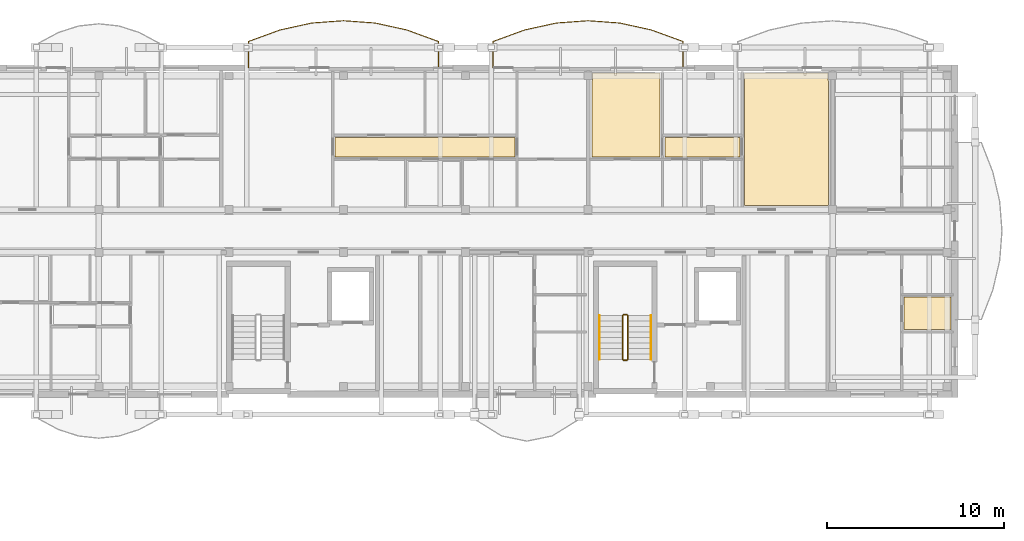
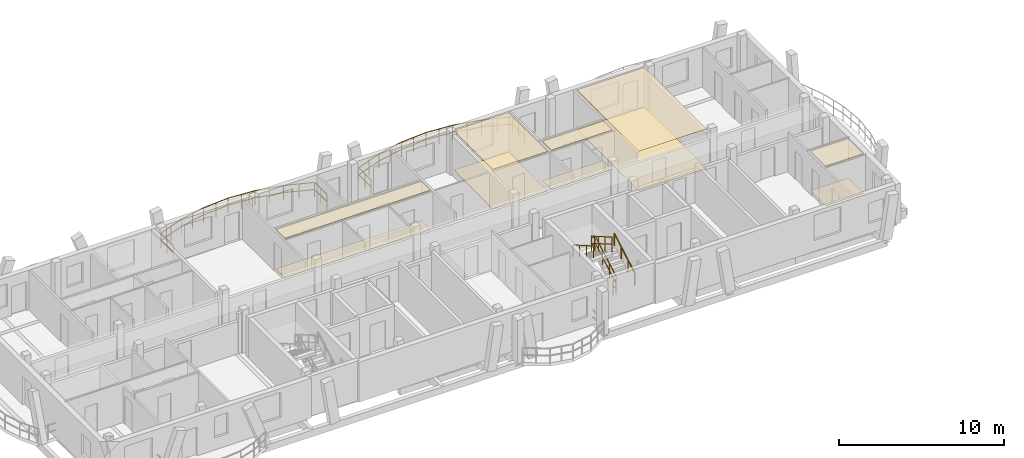
# One storey, part 51 of 52: 10 coverings, 8 railings.
"""IFC4 building model written with IfcOpenShell, lengths in metres."""

from ifc_helpers import new_model, si_unit, direction, frame, origin, origin_2d, place, context, subcontext, project, spatial, polyline, rectangle, outline, extrude, material, layer, layer_set, type_object, element, save


model = new_model("IFC4")

# Units and contexts
model_context = context("Model", 3, precision=1e-05, world=origin(), true_north=direction((0.0, 1.0)))
body_context = subcontext(model_context, "Body", "Model", "MODEL_VIEW")
ifc_project = project(units=[si_unit("LENGTHUNIT", "METRE"), si_unit("AREAUNIT", "SQUARE_METRE"), si_unit("VOLUMEUNIT", "CUBIC_METRE"), si_unit("PLANEANGLEUNIT", "RADIAN"), si_unit("MASSUNIT", "GRAM", prefix="KILO")], contexts=[model_context])

# Site, building, storey
site_placement = place(None, origin())
site = spatial("IfcSite", under=ifc_project, at=site_placement, CompositionType="ELEMENT")
building_placement = place(site_placement, origin())
building = spatial("IfcBuilding", under=site, at=building_placement, Name="Zavelmont Quarter", CompositionType="ELEMENT")
storey_placement = place(building_placement, frame((0.0, 0.0, 14.39990234375)))
storey = spatial("IfcBuildingStorey", under=building, at=storey_placement, Name="L04", CompositionType="ELEMENT", Elevation=14.39990234375)

# Coverings
ifc_material_1 = material(Name="Perforated acoustic gypsum board")
ifc_layer_1 = layer(ifc_material_1, 0.02490234375)
ifc_layer_set_1 = layer_set([ifc_layer_1], Name="Perforated acoustic gypsum board")
covering_type_1 = type_object("IfcCoveringType", Name="CV-CL01", PredefinedType="CEILING", material=ifc_layer_set_1)
covering_1_placement = place(storey_placement, frame((0.0, 0.0, 2.9150390625)))
element("IfcCovering", 1, at=covering_1_placement, inside=storey, type_object=covering_type_1, Name="L04 Double Bedroom acoustic ceiling", PredefinedType="CEILING", context=body_context, shape_type="SweptSolid", body=[
    extrude(outline(polyline([(147.530029296875, 115.294921875), (147.56494140625, 115.294921875), (147.56494140625, 115.719970703125), (151.3701171875, 115.719970703125), (151.3701171875, 110.97998046875), (147.530029296875, 110.97998046875), (147.530029296875, 115.294921875)])), origin(), (0.0, 0.0, 1.0), 0.025146484375),
])
covering_2_placement = place(storey_placement, frame((0.0, 0.0, 2.9150390625)))
element("IfcCovering", 2, at=covering_2_placement, inside=storey, type_object=covering_type_1, Name="L04 Living Dining acoustic ceiling", PredefinedType="CEILING", context=body_context, shape_type="SweptSolid", body=[
    extrude(outline(polyline([(156.1298828125, 115.719970703125), (160.8349609375, 115.719970703125), (160.8349609375, 115.294921875), (160.8701171875, 115.294921875), (160.8701171875, 108.264892578125), (160.8349609375, 108.264892578125), (160.8349609375, 108.22998046875), (156.1298828125, 108.22998046875), (156.1298828125, 115.719970703125)])), origin(), (0.0, 0.0, 1.0), 0.025146484375),
])
ifc_material_2 = material(Name="Slatted European ash acoustic baffle ceiling")
ifc_layer_2 = layer(ifc_material_2, 0.0400390625)
ifc_layer_set_2 = layer_set([ifc_layer_2], Name="Slatted European ash acoustic baffle ceiling")
covering_type_2 = type_object("IfcCoveringType", Name="CV-CL02", PredefinedType="CEILING", material=ifc_layer_set_2)
covering_3_placement = place(storey_placement, frame((0.0, 0.0, 2.900146484375)))
element("IfcCovering", 3, at=covering_3_placement, inside=storey, type_object=covering_type_2, Name="L04 Apartment Hall acoustic ceiling", PredefinedType="CEILING", context=body_context, shape_type="SweptSolid", body=[
    extrude(outline(polyline([(133.030029296875, 112.070068359375), (143.169921875, 112.070068359375), (143.169921875, 110.97998046875), (133.030029296875, 110.97998046875), (133.030029296875, 112.070068359375)])), origin(), (0.0, 0.0, 1.0), 0.0400390625),
])
covering_4_placement = place(storey_placement, frame((0.0, 0.0, 2.900146484375)))
element("IfcCovering", 4, at=covering_4_placement, inside=storey, type_object=covering_type_2, Name="L04 Apartment Hall acoustic ceiling", PredefinedType="CEILING", context=body_context, shape_type="SweptSolid", body=[
    extrude(outline(polyline([(151.6298828125, 112.070068359375), (155.8701171875, 112.070068359375), (155.8701171875, 110.97998046875), (151.6298828125, 110.97998046875), (151.6298828125, 112.070068359375)])), origin(), (0.0, 0.0, 1.0), 0.0400390625),
])
ifc_material_3 = material(Name="Moisture-resistant painted gypsum ceiling")
ifc_layer_3 = layer(ifc_material_3, 0.02001953125)
ifc_layer_set_3 = layer_set([ifc_layer_3], Name="Moisture-resistant painted gypsum ceiling")
covering_type_3 = type_object("IfcCoveringType", Name="CV-CL04", PredefinedType="CEILING", material=ifc_layer_set_3)
covering_5_placement = place(storey_placement, frame((0.0, 0.0, 2.920166015625)))
element("IfcCovering", 5, at=covering_5_placement, inside=storey, type_object=covering_type_3, Name="L04 Bathroom acoustic ceiling", PredefinedType="CEILING", context=body_context, shape_type="SweptSolid", body=[
    extrude(outline(polyline([(165.1298828125, 103.070068359375), (167.77001953125, 103.070068359375), (167.77001953125, 101.22998046875), (165.1298828125, 101.22998046875), (165.1298828125, 103.070068359375)])), origin(), (0.0, 0.0, 1.0), 0.02001953125),
])
ifc_material_4 = material(Name="Engineered European oak parquet")
ifc_layer_4 = layer(ifc_material_4, 0.02197265625)
ifc_layer_set_4 = layer_set([ifc_layer_4], Name="Engineered European oak parquet")
covering_type_4 = type_object("IfcCoveringType", Name="CV-FL01", PredefinedType="FLOORING", material=ifc_layer_set_4)
covering_6_placement = place(storey_placement, origin())
element("IfcCovering", 6, at=covering_6_placement, inside=storey, type_object=covering_type_4, Name="L04 Double Bedroom floor finish", PredefinedType="FLOORING", context=body_context, shape_type="SweptSolid", body=[
    extrude(outline(polyline([(147.530029296875, 115.294921875), (147.56494140625, 115.294921875), (147.56494140625, 115.719970703125), (151.3701171875, 115.719970703125), (151.3701171875, 110.97998046875), (147.530029296875, 110.97998046875), (147.530029296875, 115.294921875)])), origin(), (0.0, 0.0, 1.0), 0.022216796875),
])
covering_7_placement = place(storey_placement, origin())
element("IfcCovering", 7, at=covering_7_placement, inside=storey, type_object=covering_type_4, Name="L04 Living Dining floor finish", PredefinedType="FLOORING", context=body_context, shape_type="SweptSolid", body=[
    extrude(outline(polyline([(156.1298828125, 115.719970703125), (160.8349609375, 115.719970703125), (160.8349609375, 115.294921875), (160.8701171875, 115.294921875), (160.8701171875, 108.264892578125), (160.8349609375, 108.264892578125), (160.8349609375, 108.22998046875), (156.1298828125, 108.22998046875), (156.1298828125, 115.719970703125)])), origin(), (0.0, 0.0, 1.0), 0.022216796875),
])
ifc_material_5 = material(Name="Honed Belgian bluestone tile", Category="masonry")
ifc_layer_5 = layer(ifc_material_5, 0.030029296875)
ifc_layer_set_5 = layer_set([ifc_layer_5], Name="Honed Belgian bluestone tile")
covering_type_5 = type_object("IfcCoveringType", Name="CV-FL02", PredefinedType="FLOORING", material=ifc_layer_set_5)
covering_8_placement = place(storey_placement, origin())
element("IfcCovering", 8, at=covering_8_placement, inside=storey, type_object=covering_type_5, Name="L04 Apartment Hall floor finish", PredefinedType="FLOORING", context=body_context, shape_type="SweptSolid", body=[
    extrude(outline(polyline([(133.030029296875, 112.070068359375), (143.169921875, 112.070068359375), (143.169921875, 110.97998046875), (133.030029296875, 110.97998046875), (133.030029296875, 112.070068359375)])), origin(), (0.0, 0.0, 1.0), 0.030029296875),
])
covering_9_placement = place(storey_placement, origin())
element("IfcCovering", 9, at=covering_9_placement, inside=storey, type_object=covering_type_5, Name="L04 Apartment Hall floor finish", PredefinedType="FLOORING", context=body_context, shape_type="SweptSolid", body=[
    extrude(outline(polyline([(151.6298828125, 112.070068359375), (155.8701171875, 112.070068359375), (155.8701171875, 110.97998046875), (151.6298828125, 110.97998046875), (151.6298828125, 112.070068359375)])), origin(), (0.0, 0.0, 1.0), 0.030029296875),
])
ifc_material_6 = material(Name="Slip-resistant porcelain tile")
ifc_layer_6 = layer(ifc_material_6, 0.02587890625)
ifc_layer_set_6 = layer_set([ifc_layer_6], Name="Slip-resistant porcelain tile")
covering_type_6 = type_object("IfcCoveringType", Name="CV-FL04", PredefinedType="FLOORING", material=ifc_layer_set_6)
covering_10_placement = place(storey_placement, origin())
element("IfcCovering", 10, at=covering_10_placement, inside=storey, type_object=covering_type_6, Name="L04 Bathroom floor finish", PredefinedType="FLOORING", context=body_context, shape_type="SweptSolid", body=[
    extrude(outline(polyline([(165.1298828125, 103.070068359375), (167.77001953125, 103.070068359375), (167.77001953125, 101.22998046875), (165.1298828125, 101.22998046875), (165.1298828125, 103.070068359375)])), origin(), (0.0, 0.0, 1.0), 0.026123046875),
])

# Railings
ifc_material_7 = material(Name="Powder-coated steel and tempered double safety glass", Category="steel")
railing_type_1 = type_object("IfcRailingType", Name="RL-BAL1", PredefinedType="BALUSTRADE", material=ifc_material_7)
railing_1_placement = place(storey_placement, frame((138.861083984375, 116.02001953125, 0.0)))
element("IfcRailing", 11, at=railing_1_placement, inside=storey, type_object=railing_type_1, Name="L04 Block C curved balcony guard RL-BAL1", PredefinedType="BALUSTRADE", context=body_context, shape_type="SweptSolid", body=[
    extrude(rectangle(XDim=0.048095703125, YDim=0.048095703125, at=origin_2d()), frame((0.0, 0.0, 1.076171875), z_axis=(0.0, 1.0, 0.0), x_axis=(-1.0, 0.0, 0.0)), (0.0, 0.0, 1.0), 1.474609375),
    extrude(rectangle(XDim=0.048095703125, YDim=0.048095703125, at=origin_2d()), frame((0.0, 0.0, 0.550048828125), z_axis=(0.0, 1.0, 0.0), x_axis=(-1.0, 0.0, 0.0)), (0.0, 0.0, 1.0), 1.474609375),
    extrude(rectangle(XDim=0.048095703125, YDim=0.048095703125, at=origin_2d()), frame((0.0, 1.474609375, 1.076171875), z_axis=(-0.9393730676, 0.342896835605, 0.0), x_axis=(-0.342896835605, -0.9393730676, 0.0)), (0.0, 0.0, 1.0), 1.90234375),
    extrude(rectangle(XDim=0.048095703125, YDim=0.048095703125, at=origin_2d()), frame((0.0, 1.474609375, 0.550048828125), z_axis=(-0.9393730676, 0.342896835605, 0.0), x_axis=(-0.342896835605, -0.9393730676, 0.0)), (0.0, 0.0, 1.0), 1.90234375),
    extrude(rectangle(XDim=0.048095703125, YDim=0.048095703125, at=origin_2d()), frame((-1.787109375, 2.126953125, 1.076171875), z_axis=(-0.976817229366, 0.214074987827, 0.0), x_axis=(-0.214074987827, -0.976817229366, 0.0)), (0.0, 0.0, 1.0), 1.829345703125),
    extrude(rectangle(XDim=0.048095703125, YDim=0.048095703125, at=origin_2d()), frame((-1.787109375, 2.126953125, 0.550048828125), z_axis=(-0.976817229366, 0.214074987827, 0.0), x_axis=(-0.214074987827, -0.976817229366, 0.0)), (0.0, 0.0, 1.0), 1.829345703125),
    extrude(rectangle(XDim=0.048095703125, YDim=0.048095703125, at=origin_2d()), frame((-3.573974609375, 2.5185546875, 1.076171875), z_axis=(-0.997349662743, 0.072757475397, 0.0), x_axis=(-0.072757475397, -0.997349662743, 0.0)), (0.0, 0.0, 1.0), 1.791748046875),
    extrude(rectangle(XDim=0.048095703125, YDim=0.048095703125, at=origin_2d()), frame((-3.573974609375, 2.5185546875, 0.550048828125), z_axis=(-0.997349662743, 0.072757475397, 0.0), x_axis=(-0.072757475397, -0.997349662743, 0.0)), (0.0, 0.0, 1.0), 1.791748046875),
    extrude(rectangle(XDim=0.048095703125, YDim=0.048095703125, at=origin_2d()), frame((-5.361083984375, 2.64892578125, 1.076171875), z_axis=(-0.997349662743, -0.072757475397, 0.0), x_axis=(0.072757475397, -0.997349662743, 0.0)), (0.0, 0.0, 1.0), 1.791748046875),
    extrude(rectangle(XDim=0.048095703125, YDim=0.048095703125, at=origin_2d()), frame((-5.361083984375, 2.64892578125, 0.550048828125), z_axis=(-0.997349662743, -0.072757475397, 0.0), x_axis=(0.072757475397, -0.997349662743, 0.0)), (0.0, 0.0, 1.0), 1.791748046875),
    extrude(rectangle(XDim=0.048095703125, YDim=0.048095703125, at=origin_2d()), frame((-7.148193359375, 2.5185546875, 1.076171875), z_axis=(-0.976817229366, -0.214074987827, 0.0), x_axis=(0.214074987827, -0.976817229366, 0.0)), (0.0, 0.0, 1.0), 1.829345703125),
    extrude(rectangle(XDim=0.048095703125, YDim=0.048095703125, at=origin_2d()), frame((-7.148193359375, 2.5185546875, 0.550048828125), z_axis=(-0.976817229366, -0.214074987827, 0.0), x_axis=(0.214074987827, -0.976817229366, 0.0)), (0.0, 0.0, 1.0), 1.829345703125),
    extrude(rectangle(XDim=0.048095703125, YDim=0.048095703125, at=origin_2d()), frame((-8.93505859375, 2.126953125, 1.076171875), z_axis=(-0.9393730676, -0.342896835605, 0.0), x_axis=(0.342896835605, -0.9393730676, 0.0)), (0.0, 0.0, 1.0), 1.90234375),
    extrude(rectangle(XDim=0.048095703125, YDim=0.048095703125, at=origin_2d()), frame((-8.93505859375, 2.126953125, 0.550048828125), z_axis=(-0.9393730676, -0.342896835605, 0.0), x_axis=(0.342896835605, -0.9393730676, 0.0)), (0.0, 0.0, 1.0), 1.90234375),
    extrude(rectangle(XDim=0.048095703125, YDim=0.048095703125, at=origin_2d()), frame((-10.72216796875, 1.474609375, 1.076171875), z_axis=(0.0, -1.0, 0.0), x_axis=(1.0, 0.0, 0.0)), (0.0, 0.0, 1.0), 1.474609375),
    extrude(rectangle(XDim=0.048095703125, YDim=0.048095703125, at=origin_2d()), frame((-10.72216796875, 1.474609375, 0.550048828125), z_axis=(0.0, -1.0, 0.0), x_axis=(1.0, 0.0, 0.0)), (0.0, 0.0, 1.0), 1.474609375),
    extrude(rectangle(XDim=0.0419921875, YDim=0.0419921875, at=origin_2d()), origin(), (0.0, 0.0, 1.0), 1.052001953125),
    extrude(rectangle(XDim=0.0419921875, YDim=0.0419921875, at=origin_2d()), frame((0.0, 0.7373046875, 0.0)), (0.0, 0.0, 1.0), 1.052001953125),
    extrude(rectangle(XDim=0.0419921875, YDim=0.0419921875, at=origin_2d()), frame((0.0, 1.474609375, 0.0)), (0.0, 0.0, 1.0), 1.052001953125),
    extrude(rectangle(XDim=0.0419921875, YDim=0.0419921875, at=origin_2d()), frame((-0.8935546875, 1.80078125, 0.0)), (0.0, 0.0, 1.0), 1.052001953125),
    extrude(rectangle(XDim=0.0419921875, YDim=0.0419921875, at=origin_2d()), frame((-1.787109375, 2.126953125, 0.0)), (0.0, 0.0, 1.0), 1.052001953125),
    extrude(rectangle(XDim=0.0419921875, YDim=0.0419921875, at=origin_2d()), frame((-2.6806640625, 2.32275390625, 0.0)), (0.0, 0.0, 1.0), 1.052001953125),
    extrude(rectangle(XDim=0.0419921875, YDim=0.0419921875, at=origin_2d()), frame((-3.573974609375, 2.5185546875, 0.0)), (0.0, 0.0, 1.0), 1.052001953125),
    extrude(rectangle(XDim=0.0419921875, YDim=0.0419921875, at=origin_2d()), frame((-4.467529296875, 2.583740234375, 0.0)), (0.0, 0.0, 1.0), 1.052001953125),
    extrude(rectangle(XDim=0.0419921875, YDim=0.0419921875, at=origin_2d()), frame((-5.361083984375, 2.64892578125, 0.0)), (0.0, 0.0, 1.0), 1.052001953125),
    extrude(rectangle(XDim=0.0419921875, YDim=0.0419921875, at=origin_2d()), frame((-6.254638671875, 2.583740234375, 0.0)), (0.0, 0.0, 1.0), 1.052001953125),
    extrude(rectangle(XDim=0.0419921875, YDim=0.0419921875, at=origin_2d()), frame((-7.148193359375, 2.5185546875, 0.0)), (0.0, 0.0, 1.0), 1.052001953125),
    extrude(rectangle(XDim=0.0419921875, YDim=0.0419921875, at=origin_2d()), frame((-8.04150390625, 2.32275390625, 0.0)), (0.0, 0.0, 1.0), 1.052001953125),
    extrude(rectangle(XDim=0.0419921875, YDim=0.0419921875, at=origin_2d()), frame((-8.93505859375, 2.126953125, 0.0)), (0.0, 0.0, 1.0), 1.052001953125),
    extrude(rectangle(XDim=0.0419921875, YDim=0.0419921875, at=origin_2d()), frame((-9.82861328125, 1.80078125, 0.0)), (0.0, 0.0, 1.0), 1.052001953125),
    extrude(rectangle(XDim=0.0419921875, YDim=0.0419921875, at=origin_2d()), frame((-10.72216796875, 1.474609375, 0.0)), (0.0, 0.0, 1.0), 1.052001953125),
    extrude(rectangle(XDim=0.0419921875, YDim=0.0419921875, at=origin_2d()), frame((-10.72216796875, 0.7373046875, 0.0)), (0.0, 0.0, 1.0), 1.052001953125),
    extrude(rectangle(XDim=0.0419921875, YDim=0.0419921875, at=origin_2d()), frame((-10.72216796875, 0.0, 0.0)), (0.0, 0.0, 1.0), 1.052001953125),
])
railing_2_placement = place(storey_placement, frame((152.660888671875, 116.02001953125, 0.0)))
element("IfcRailing", 12, at=railing_2_placement, inside=storey, type_object=railing_type_1, Name="L04 Block C curved balcony guard RL-BAL1", PredefinedType="BALUSTRADE", context=body_context, shape_type="SweptSolid", body=[
    extrude(rectangle(XDim=0.048095703125, YDim=0.048095703125, at=origin_2d()), frame((0.0, 0.0, 1.076171875), z_axis=(0.0, 1.0, 0.0), x_axis=(-1.0, 0.0, 0.0)), (0.0, 0.0, 1.0), 1.474609375),
    extrude(rectangle(XDim=0.048095703125, YDim=0.048095703125, at=origin_2d()), frame((0.0, 0.0, 0.550048828125), z_axis=(0.0, 1.0, 0.0), x_axis=(-1.0, 0.0, 0.0)), (0.0, 0.0, 1.0), 1.474609375),
    extrude(rectangle(XDim=0.048095703125, YDim=0.048095703125, at=origin_2d()), frame((0.0, 1.474609375, 1.076171875), z_axis=(-0.939357976096, 0.342938176271, 0.0), x_axis=(-0.342938176271, -0.939357976096, 0.0)), (0.0, 0.0, 1.0), 1.902099609375),
    extrude(rectangle(XDim=0.048095703125, YDim=0.048095703125, at=origin_2d()), frame((0.0, 1.474609375, 0.550048828125), z_axis=(-0.939357976096, 0.342938176271, 0.0), x_axis=(-0.342938176271, -0.939357976096, 0.0)), (0.0, 0.0, 1.0), 1.902099609375),
    extrude(rectangle(XDim=0.048095703125, YDim=0.048095703125, at=origin_2d()), frame((-1.786865234375, 2.126953125, 1.076171875), z_axis=(-0.976823344536, 0.2140470826, 0.0), x_axis=(-0.2140470826, -0.976823344536, 0.0)), (0.0, 0.0, 1.0), 1.82958984375),
    extrude(rectangle(XDim=0.048095703125, YDim=0.048095703125, at=origin_2d()), frame((-1.786865234375, 2.126953125, 0.550048828125), z_axis=(-0.976823344536, 0.2140470826, 0.0), x_axis=(-0.2140470826, -0.976823344536, 0.0)), (0.0, 0.0, 1.0), 1.82958984375),
    extrude(rectangle(XDim=0.048095703125, YDim=0.048095703125, at=origin_2d()), frame((-3.573974609375, 2.5185546875, 1.076171875), z_axis=(-0.997348941337, 0.072767363666, 0.0), x_axis=(-0.072767363666, -0.997348941337, 0.0)), (0.0, 0.0, 1.0), 1.79150390625),
    extrude(rectangle(XDim=0.048095703125, YDim=0.048095703125, at=origin_2d()), frame((-3.573974609375, 2.5185546875, 0.550048828125), z_axis=(-0.997348941337, 0.072767363666, 0.0), x_axis=(-0.072767363666, -0.997348941337, 0.0)), (0.0, 0.0, 1.0), 1.79150390625),
    extrude(rectangle(XDim=0.048095703125, YDim=0.048095703125, at=origin_2d()), frame((-5.36083984375, 2.64892578125, 1.076171875), z_axis=(-0.997349662743, -0.072757475397, 0.0), x_axis=(0.072757475397, -0.997349662743, 0.0)), (0.0, 0.0, 1.0), 1.791748046875),
    extrude(rectangle(XDim=0.048095703125, YDim=0.048095703125, at=origin_2d()), frame((-5.36083984375, 2.64892578125, 0.550048828125), z_axis=(-0.997349662743, -0.072757475397, 0.0), x_axis=(0.072757475397, -0.997349662743, 0.0)), (0.0, 0.0, 1.0), 1.791748046875),
    extrude(rectangle(XDim=0.048095703125, YDim=0.048095703125, at=origin_2d()), frame((-7.14794921875, 2.5185546875, 1.076171875), z_axis=(-0.976817229366, -0.214074987827, 0.0), x_axis=(0.214074987827, -0.976817229366, 0.0)), (0.0, 0.0, 1.0), 1.829345703125),
    extrude(rectangle(XDim=0.048095703125, YDim=0.048095703125, at=origin_2d()), frame((-7.14794921875, 2.5185546875, 0.550048828125), z_axis=(-0.976817229366, -0.214074987827, 0.0), x_axis=(0.214074987827, -0.976817229366, 0.0)), (0.0, 0.0, 1.0), 1.829345703125),
    extrude(rectangle(XDim=0.048095703125, YDim=0.048095703125, at=origin_2d()), frame((-8.934814453125, 2.126953125, 1.076171875), z_axis=(-0.9393730676, -0.342896835605, 0.0), x_axis=(0.342896835605, -0.9393730676, 0.0)), (0.0, 0.0, 1.0), 1.90234375),
    extrude(rectangle(XDim=0.048095703125, YDim=0.048095703125, at=origin_2d()), frame((-8.934814453125, 2.126953125, 0.550048828125), z_axis=(-0.9393730676, -0.342896835605, 0.0), x_axis=(0.342896835605, -0.9393730676, 0.0)), (0.0, 0.0, 1.0), 1.90234375),
    extrude(rectangle(XDim=0.048095703125, YDim=0.048095703125, at=origin_2d()), frame((-10.721923828125, 1.474609375, 1.076171875), z_axis=(0.0, -1.0, 0.0), x_axis=(1.0, 0.0, 0.0)), (0.0, 0.0, 1.0), 1.474609375),
    extrude(rectangle(XDim=0.048095703125, YDim=0.048095703125, at=origin_2d()), frame((-10.721923828125, 1.474609375, 0.550048828125), z_axis=(0.0, -1.0, 0.0), x_axis=(1.0, 0.0, 0.0)), (0.0, 0.0, 1.0), 1.474609375),
    extrude(rectangle(XDim=0.0419921875, YDim=0.0419921875, at=origin_2d()), origin(), (0.0, 0.0, 1.0), 1.052001953125),
    extrude(rectangle(XDim=0.0419921875, YDim=0.0419921875, at=origin_2d()), frame((0.0, 0.7373046875, 0.0)), (0.0, 0.0, 1.0), 1.052001953125),
    extrude(rectangle(XDim=0.0419921875, YDim=0.0419921875, at=origin_2d()), frame((0.0, 1.474609375, 0.0)), (0.0, 0.0, 1.0), 1.052001953125),
    extrude(rectangle(XDim=0.0419921875, YDim=0.0419921875, at=origin_2d()), frame((-0.8935546875, 1.80078125, 0.0)), (0.0, 0.0, 1.0), 1.052001953125),
    extrude(rectangle(XDim=0.0419921875, YDim=0.0419921875, at=origin_2d()), frame((-1.786865234375, 2.126953125, 0.0)), (0.0, 0.0, 1.0), 1.052001953125),
    extrude(rectangle(XDim=0.0419921875, YDim=0.0419921875, at=origin_2d()), frame((-2.680419921875, 2.32275390625, 0.0)), (0.0, 0.0, 1.0), 1.052001953125),
    extrude(rectangle(XDim=0.0419921875, YDim=0.0419921875, at=origin_2d()), frame((-3.573974609375, 2.5185546875, 0.0)), (0.0, 0.0, 1.0), 1.052001953125),
    extrude(rectangle(XDim=0.0419921875, YDim=0.0419921875, at=origin_2d()), frame((-4.46728515625, 2.583740234375, 0.0)), (0.0, 0.0, 1.0), 1.052001953125),
    extrude(rectangle(XDim=0.0419921875, YDim=0.0419921875, at=origin_2d()), frame((-5.36083984375, 2.64892578125, 0.0)), (0.0, 0.0, 1.0), 1.052001953125),
    extrude(rectangle(XDim=0.0419921875, YDim=0.0419921875, at=origin_2d()), frame((-6.25439453125, 2.583740234375, 0.0)), (0.0, 0.0, 1.0), 1.052001953125),
    extrude(rectangle(XDim=0.0419921875, YDim=0.0419921875, at=origin_2d()), frame((-7.14794921875, 2.5185546875, 0.0)), (0.0, 0.0, 1.0), 1.052001953125),
    extrude(rectangle(XDim=0.0419921875, YDim=0.0419921875, at=origin_2d()), frame((-8.04150390625, 2.32275390625, 0.0)), (0.0, 0.0, 1.0), 1.052001953125),
    extrude(rectangle(XDim=0.0419921875, YDim=0.0419921875, at=origin_2d()), frame((-8.934814453125, 2.126953125, 0.0)), (0.0, 0.0, 1.0), 1.052001953125),
    extrude(rectangle(XDim=0.0419921875, YDim=0.0419921875, at=origin_2d()), frame((-9.828369140625, 1.80078125, 0.0)), (0.0, 0.0, 1.0), 1.052001953125),
    extrude(rectangle(XDim=0.0419921875, YDim=0.0419921875, at=origin_2d()), frame((-10.721923828125, 1.474609375, 0.0)), (0.0, 0.0, 1.0), 1.052001953125),
    extrude(rectangle(XDim=0.0419921875, YDim=0.0419921875, at=origin_2d()), frame((-10.721923828125, 0.7373046875, 0.0)), (0.0, 0.0, 1.0), 1.052001953125),
    extrude(rectangle(XDim=0.0419921875, YDim=0.0419921875, at=origin_2d()), frame((-10.721923828125, 0.0, 0.0)), (0.0, 0.0, 1.0), 1.052001953125),
])
ifc_material_8 = material(Name="Powder-coated steel stair guardrail", Category="steel")
railing_type_2 = type_object("IfcRailingType", Name="RL-GRD1", PredefinedType="GUARDRAIL", material=ifc_material_8)
railing_3_placement = place(storey_placement, frame((149.550048828125, 99.550048828125, 0.177978515625)))
element("IfcRailing", 13, at=railing_3_placement, inside=storey, type_object=railing_type_2, Name="L04 ST06 stair guardrail 1", PredefinedType="GUARDRAIL", context=body_context, shape_type="SweptSolid", body=[
    extrude(rectangle(XDim=0.048095703125, YDim=0.048095703125, at=origin_2d()), frame((0.0, 0.0, 1.076171875), z_axis=(0.0, 0.867490628297, 0.497453525283), x_axis=(-1.0, 0.0, 0.0)), (0.0, 0.0, 1.0), 2.85888671875),
    extrude(rectangle(XDim=0.048095703125, YDim=0.048095703125, at=origin_2d()), frame((0.0, 0.0, 0.550048828125), z_axis=(0.0, 0.867490628297, 0.497453525283), x_axis=(-1.0, 0.0, 0.0)), (0.0, 0.0, 1.0), 2.85888671875),
    extrude(rectangle(XDim=0.0419921875, YDim=0.0419921875, at=origin_2d()), origin(), (0.0, 0.0, 1.0), 1.052001953125),
    extrude(rectangle(XDim=0.0419921875, YDim=0.0419921875, at=origin_2d()), frame((0.0, 0.82666015625, 0.47412109375)), (0.0, 0.0, 1.0), 1.052001953125),
    extrude(rectangle(XDim=0.0419921875, YDim=0.0419921875, at=origin_2d()), frame((0.0, 1.6533203125, 0.947998046875)), (0.0, 0.0, 1.0), 1.052001953125),
    extrude(rectangle(XDim=0.0419921875, YDim=0.0419921875, at=origin_2d()), frame((0.0, 2.47998046875, 1.422119140625)), (0.0, 0.0, 1.0), 1.052001953125),
])
railing_4_placement = place(storey_placement, frame((149.5, 102.080078125, 1.60009765625)))
element("IfcRailing", 14, at=railing_4_placement, inside=storey, type_object=railing_type_2, Name="L04 ST06 stair guardrail 2", PredefinedType="GUARDRAIL", context=body_context, shape_type="SweptSolid", body=[
    extrude(rectangle(XDim=0.048095703125, YDim=0.048095703125, at=origin_2d()), frame((0.0, 0.0, 1.076171875), z_axis=(-1.0, 0.0, 0.0), x_axis=(0.0, -1.0, 0.0)), (0.0, 0.0, 1.0), 0.199951171875),
    extrude(rectangle(XDim=0.048095703125, YDim=0.048095703125, at=origin_2d()), frame((0.0, 0.0, 0.550048828125), z_axis=(-1.0, 0.0, 0.0), x_axis=(0.0, -1.0, 0.0)), (0.0, 0.0, 1.0), 0.199951171875),
    extrude(rectangle(XDim=0.0419921875, YDim=0.0419921875, at=origin_2d()), origin(), (0.0, 0.0, 1.0), 1.052001953125),
    extrude(rectangle(XDim=0.0419921875, YDim=0.0419921875, at=origin_2d()), frame((-0.199951171875, 0.0, 0.0)), (0.0, 0.0, 1.0), 1.052001953125),
])
railing_5_placement = place(storey_placement, frame((149.25, 102.030029296875, 1.77783203125)))
element("IfcRailing", 15, at=railing_5_placement, inside=storey, type_object=railing_type_2, Name="L04 ST06 stair guardrail 3", PredefinedType="GUARDRAIL", context=body_context, shape_type="SweptSolid", body=[
    extrude(rectangle(XDim=0.048095703125, YDim=0.048095703125, at=origin_2d()), frame((0.0, 0.0, 1.076171875), z_axis=(0.0, -0.867453774394, 0.497517787913), x_axis=(1.0, 0.0, 0.0)), (0.0, 0.0, 1.0), 2.85888671875),
    extrude(rectangle(XDim=0.048095703125, YDim=0.048095703125, at=origin_2d()), frame((0.0, 0.0, 0.550048828125), z_axis=(0.0, -0.867453774394, 0.497517787913), x_axis=(1.0, 0.0, 0.0)), (0.0, 0.0, 1.0), 2.85888671875),
    extrude(rectangle(XDim=0.0419921875, YDim=0.0419921875, at=origin_2d()), origin(), (0.0, 0.0, 1.0), 1.052001953125),
    extrude(rectangle(XDim=0.0419921875, YDim=0.0419921875, at=origin_2d()), frame((0.0, -0.82666015625, 0.47412109375)), (0.0, 0.0, 1.0), 1.052001953125),
    extrude(rectangle(XDim=0.0419921875, YDim=0.0419921875, at=origin_2d()), frame((0.0, -1.6533203125, 0.9482421875)), (0.0, 0.0, 1.0), 1.052001953125),
    extrude(rectangle(XDim=0.0419921875, YDim=0.0419921875, at=origin_2d()), frame((0.0, -2.47998046875, 1.42236328125)), (0.0, 0.0, 1.0), 1.052001953125),
])
railing_6_placement = place(storey_placement, frame((149.5, 99.5, 0.0)))
element("IfcRailing", 16, at=railing_6_placement, inside=storey, type_object=railing_type_2, Name="L04 ST06 stair guardrail 4", PredefinedType="GUARDRAIL", context=body_context, shape_type="SweptSolid", body=[
    extrude(rectangle(XDim=0.048095703125, YDim=0.048095703125, at=origin_2d()), frame((0.0, 0.0, 1.076171875), z_axis=(-1.0, 0.0, 0.0), x_axis=(0.0, -1.0, 0.0)), (0.0, 0.0, 1.0), 0.199951171875),
    extrude(rectangle(XDim=0.048095703125, YDim=0.048095703125, at=origin_2d()), frame((0.0, 0.0, 0.550048828125), z_axis=(-1.0, 0.0, 0.0), x_axis=(0.0, -1.0, 0.0)), (0.0, 0.0, 1.0), 0.199951171875),
    extrude(rectangle(XDim=0.0419921875, YDim=0.0419921875, at=origin_2d()), origin(), (0.0, 0.0, 1.0), 1.052001953125),
    extrude(rectangle(XDim=0.0419921875, YDim=0.0419921875, at=origin_2d()), frame((-0.199951171875, 0.0, 0.0)), (0.0, 0.0, 1.0), 1.052001953125),
])
ifc_material_9 = material(Name="Brushed stainless-steel wall handrail", Category="steel")
railing_type_3 = type_object("IfcRailingType", Name="RL-HND1", PredefinedType="HANDRAIL", material=ifc_material_9)
railing_7_placement = place(storey_placement, frame((150.85009765625, 99.550048828125, 0.177978515625)))
element("IfcRailing", 17, at=railing_7_placement, inside=storey, type_object=railing_type_3, Name="L04 ST06 stair handrail 1", PredefinedType="HANDRAIL", context=body_context, shape_type="SweptSolid", body=[
    extrude(rectangle(XDim=0.048095703125, YDim=0.048095703125, at=origin_2d()), frame((0.0, 0.0, 0.8759765625), z_axis=(0.0, 0.867490628297, 0.497453525283), x_axis=(-1.0, 0.0, 0.0)), (0.0, 0.0, 1.0), 2.85888671875),
    extrude(rectangle(XDim=0.0419921875, YDim=0.0419921875, at=origin_2d()), origin(), (0.0, 0.0, 1.0), 0.851806640625),
    extrude(rectangle(XDim=0.0419921875, YDim=0.0419921875, at=origin_2d()), frame((0.0, 0.82666015625, 0.47412109375)), (0.0, 0.0, 1.0), 0.851806640625),
    extrude(rectangle(XDim=0.0419921875, YDim=0.0419921875, at=origin_2d()), frame((0.0, 1.6533203125, 0.947998046875)), (0.0, 0.0, 1.0), 0.851806640625),
    extrude(rectangle(XDim=0.0419921875, YDim=0.0419921875, at=origin_2d()), frame((0.0, 2.47998046875, 1.422119140625)), (0.0, 0.0, 1.0), 0.851806640625),
])
railing_8_placement = place(storey_placement, frame((147.949951171875, 102.030029296875, 1.77783203125)))
element("IfcRailing", 18, at=railing_8_placement, inside=storey, type_object=railing_type_3, Name="L04 ST06 stair handrail 2", PredefinedType="HANDRAIL", context=body_context, shape_type="SweptSolid", body=[
    extrude(rectangle(XDim=0.048095703125, YDim=0.048095703125, at=origin_2d()), frame((0.0, 0.0, 0.8759765625), z_axis=(0.0, -0.867453774394, 0.497517787913), x_axis=(1.0, 0.0, 0.0)), (0.0, 0.0, 1.0), 2.85888671875),
    extrude(rectangle(XDim=0.0419921875, YDim=0.0419921875, at=origin_2d()), origin(), (0.0, 0.0, 1.0), 0.851806640625),
    extrude(rectangle(XDim=0.0419921875, YDim=0.0419921875, at=origin_2d()), frame((0.0, -0.82666015625, 0.47412109375)), (0.0, 0.0, 1.0), 0.851806640625),
    extrude(rectangle(XDim=0.0419921875, YDim=0.0419921875, at=origin_2d()), frame((0.0, -1.6533203125, 0.9482421875)), (0.0, 0.0, 1.0), 0.851806640625),
    extrude(rectangle(XDim=0.0419921875, YDim=0.0419921875, at=origin_2d()), frame((0.0, -2.47998046875, 1.42236328125)), (0.0, 0.0, 1.0), 0.851806640625),
])

save(model, "model.ifc")
